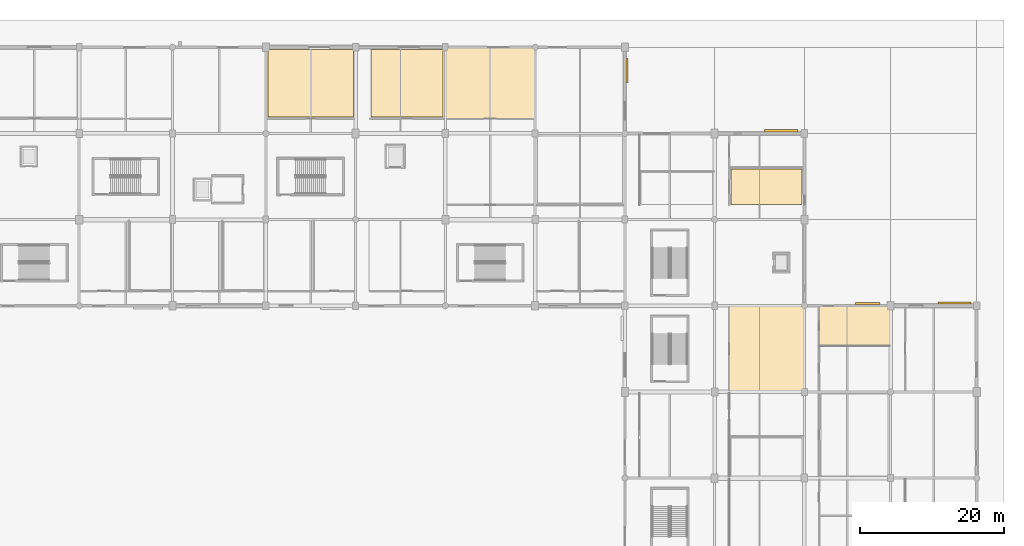
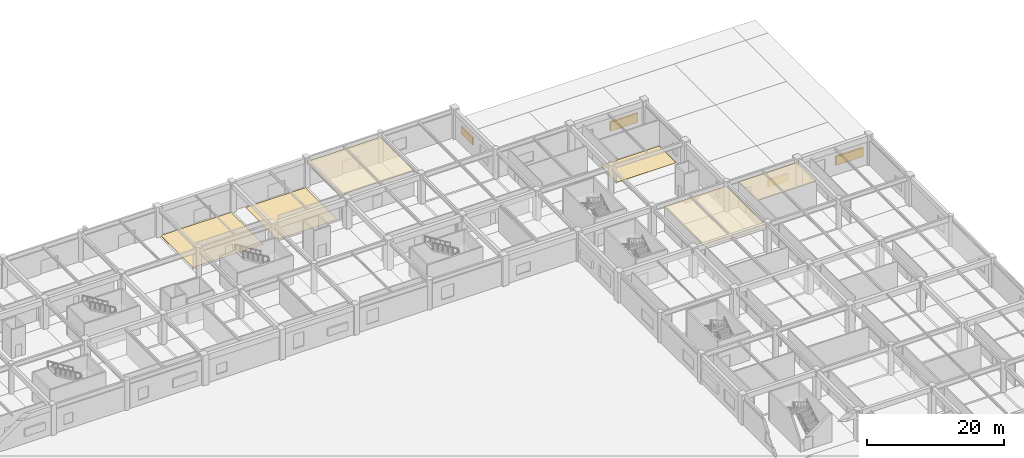
# One storey, part 68 of 69: 6 coverings, 4 shading devices.
"""IFC4 building model written with IfcOpenShell, lengths in metres."""

from ifc_helpers import new_model, si_unit, direction, frame, origin, origin_2d, place, context, subcontext, project, spatial, polyline, rectangle, outline, extrude, material, layer, layer_set, type_object, element, save


model = new_model("IFC4")

# Units and contexts
model_context = context("Model", 3, precision=1e-05, world=origin(), true_north=direction((0.0, 1.0)))
body_context = subcontext(model_context, "Body", "Model", "MODEL_VIEW")
ifc_project = project(units=[si_unit("LENGTHUNIT", "METRE"), si_unit("AREAUNIT", "SQUARE_METRE"), si_unit("VOLUMEUNIT", "CUBIC_METRE"), si_unit("PLANEANGLEUNIT", "RADIAN"), si_unit("MASSUNIT", "GRAM", prefix="KILO")], contexts=[model_context])

# Site, building, storey
site_placement = place(None, origin())
site = spatial("IfcSite", under=ifc_project, at=site_placement, CompositionType="ELEMENT")
building_placement = place(site_placement, origin())
building = spatial("IfcBuilding", under=site, at=building_placement, Name="Kazenohara Klinker Stadium", CompositionType="ELEMENT")
storey_placement = place(building_placement, origin())
storey = spatial("IfcBuildingStorey", under=building, at=storey_placement, Name="L00", CompositionType="ELEMENT", Elevation=0.0)

# Coverings
ifc_material_1 = material(Name="Perforated acoustic mineral-fibre ceiling tile", Category="gypsum")
ifc_layer_1 = layer(ifc_material_1, 0.030029296875)
ifc_layer_set_1 = layer_set([ifc_layer_1], Name="Perforated acoustic mineral-fibre ceiling tile")
covering_type_1 = type_object("IfcCoveringType", Name="COV-CEIL-01", PredefinedType="CEILING", material=ifc_layer_set_1)
covering_1_placement = place(storey_placement, frame((0.0, 0.0, 4.35009765625)))
element("IfcCovering", 1, at=covering_1_placement, inside=storey, type_object=covering_type_1, Name="Suspended acoustic ceiling CL01 Concourse Craft Beverage Tavern L00-1610B", PredefinedType="CEILING", context=body_context, shape_type="SweptSolid", body=[
    extrude(outline(polyline([(202.010009765625, 126.368896484375), (211.93994140625, 126.368896484375), (211.93994140625, 131.9599609375), (202.010009765625, 131.9599609375), (202.010009765625, 126.368896484375)])), origin(), (0.0, 0.0, 1.0), 0.02978515625),
])
ifc_material_2 = material(Name="Slatted Hokkaido cedar acoustic baffle ceiling", Category="wood")
ifc_layer_2 = layer(ifc_material_2, 0.0400390625)
ifc_layer_set_2 = layer_set([ifc_layer_2], Name="Slatted Hokkaido cedar acoustic baffle ceiling")
covering_type_2 = type_object("IfcCoveringType", Name="COV-CEIL-02", PredefinedType="CEILING", material=ifc_layer_set_2)
covering_2_placement = place(storey_placement, frame((0.0, 0.0, 4.340087890625)))
element("IfcCovering", 2, at=covering_2_placement, inside=storey, type_object=covering_type_2, Name="Suspended acoustic ceiling CL02 Supporter Merchandising Retail Shop L00-1213A", PredefinedType="CEILING", context=body_context, shape_type="SweptSolid", body=[
    extrude(outline(polyline([(150.0400390625, 158.010009765625), (162.4599609375, 158.010009765625), (162.4599609375, 167.93994140625), (150.0400390625, 167.93994140625), (150.0400390625, 158.010009765625)])), origin(), (0.0, 0.0, 1.0), 0.039794921875),
])
covering_3_placement = place(storey_placement, frame((0.0, 0.0, 4.340087890625)))
element("IfcCovering", 3, at=covering_3_placement, inside=storey, type_object=covering_type_2, Name="Suspended acoustic ceiling CL02 Supporter Merchandising Retail Shop L00-1510A", PredefinedType="CEILING", context=body_context, shape_type="SweptSolid", body=[
    extrude(outline(polyline([(189.510009765625, 120.0400390625), (199.93994140625, 120.0400390625), (199.93994140625, 131.9599609375), (189.510009765625, 131.9599609375), (189.510009765625, 120.0400390625)])), origin(), (0.0, 0.0, 1.0), 0.039794921875),
])
ifc_material_3 = material(Name="Cushioned EPDM sports rubber flooring", Category="rubber")
ifc_layer_3 = layer(ifc_material_3, 0.014892578125)
ifc_layer_set_3 = layer_set([ifc_layer_3], Name="Cushioned EPDM sports rubber flooring")
covering_type_3 = type_object("IfcCoveringType", Name="COV-FLR-02", PredefinedType="FLOORING", material=ifc_layer_set_3)
covering_4_placement = place(storey_placement, origin())
element("IfcCovering", 4, at=covering_4_placement, inside=storey, type_object=covering_type_3, Name="Interior floor finish FL02 Supporter Merchandising Retail Shop L00-1013A", PredefinedType="FLOORING", context=body_context, shape_type="SweptSolid", body=[
    extrude(outline(polyline([(125.31005859375, 158.280029296875), (137.18994140625, 158.280029296875), (137.18994140625, 167.669921875), (125.31005859375, 167.669921875), (125.31005859375, 158.280029296875)])), origin(), (0.0, 0.0, 1.0), 0.014892578125),
])
covering_5_placement = place(storey_placement, origin())
element("IfcCovering", 5, at=covering_5_placement, inside=storey, type_object=covering_type_3, Name="Interior floor finish FL02 Civic Stadium Heritage Museum Exhibition Gallery L00-1113A", PredefinedType="FLOORING", context=body_context, shape_type="SweptSolid", body=[
    extrude(outline(polyline([(139.6201171875, 158.280029296875), (149.68994140625, 158.280029296875), (149.68994140625, 167.669921875), (139.6201171875, 167.669921875), (139.6201171875, 158.280029296875)])), origin(), (0.0, 0.0, 1.0), 0.014892578125),
])
covering_6_placement = place(storey_placement, origin())
element("IfcCovering", 6, at=covering_6_placement, inside=storey, type_object=covering_type_3, Name="Interior floor finish FL02 Spectator First-Aid Medical Clinic L00-1512A", PredefinedType="FLOORING", context=body_context, shape_type="SweptSolid", body=[
    extrude(outline(polyline([(189.780029296875, 146.1201171875), (199.669921875, 146.1201171875), (199.669921875, 151.0205078125), (189.780029296875, 151.0205078125), (189.780029296875, 146.1201171875)])), origin(), (0.0, 0.0, 1.0), 0.014892578125),
])

# Shading devices
ifc_material_4 = material(Name="Perforated clinker-brick and bronze louvre grille", Category="masonry")
shading_device_type_1 = type_object("IfcShadingDeviceType", Name="SHD-LOUV-01", PredefinedType="JALOUSIE", material=ifc_material_4)
for number, where, z_axis, x_axis, name in (
    (7, (175.31494140625, 164.763916015625, 1.4501953125), (0.0, 0.0, 1.0), (0.0, 1.0, 0.0), "Perforated clinker-brick louvre screen LV01-09"),
    (8, (208.83984375, 132.31494140625, 1.4501953125), (0.0, 0.0, 1.0), (1.0, 0.0, 0.0), "Perforated clinker-brick louvre screen LV01-15"),
):
    element("IfcShadingDevice", number, at=place(storey_placement, frame(where, z_axis=z_axis, x_axis=x_axis)), inside=storey, type_object=shading_device_type_1, Name=name, PredefinedType="JALOUSIE", context=body_context, shape_type="SweptSolid", body=[
        extrude(rectangle(XDim=3.39990234375, YDim=0.300048828125, at=origin_2d()), origin(), (0.0, 0.0, 1.0), 1.300048828125),
    ])
shading_device_type_2 = type_object("IfcShadingDeviceType", Name="SHD-LOUV-03", PredefinedType="JALOUSIE", material=ifc_material_4)
for number, where, z_axis, x_axis, name in (
    (9, (196.77587890625, 156.3798828125, 1.300048828125), (0.0, 0.0, 1.0), (1.0, 0.0, 0.0), "Perforated clinker-brick louvre screen LV03-14"),
    (10, (220.89599609375, 132.3798828125, 1.300048828125), (0.0, 0.0, 1.0), (1.0, 0.0, 0.0), "Perforated clinker-brick louvre screen LV03-17"),
):
    element("IfcShadingDevice", number, at=place(storey_placement, frame(where, z_axis=z_axis, x_axis=x_axis)), inside=storey, type_object=shading_device_type_2, Name=name, PredefinedType="JALOUSIE", context=body_context, shape_type="SweptSolid", body=[
        extrude(rectangle(XDim=4.60009765625, YDim=0.320068359375, at=origin_2d()), origin(), (0.0, 0.0, 1.0), 1.60009765625),
    ])

save(model, "model.ifc")
